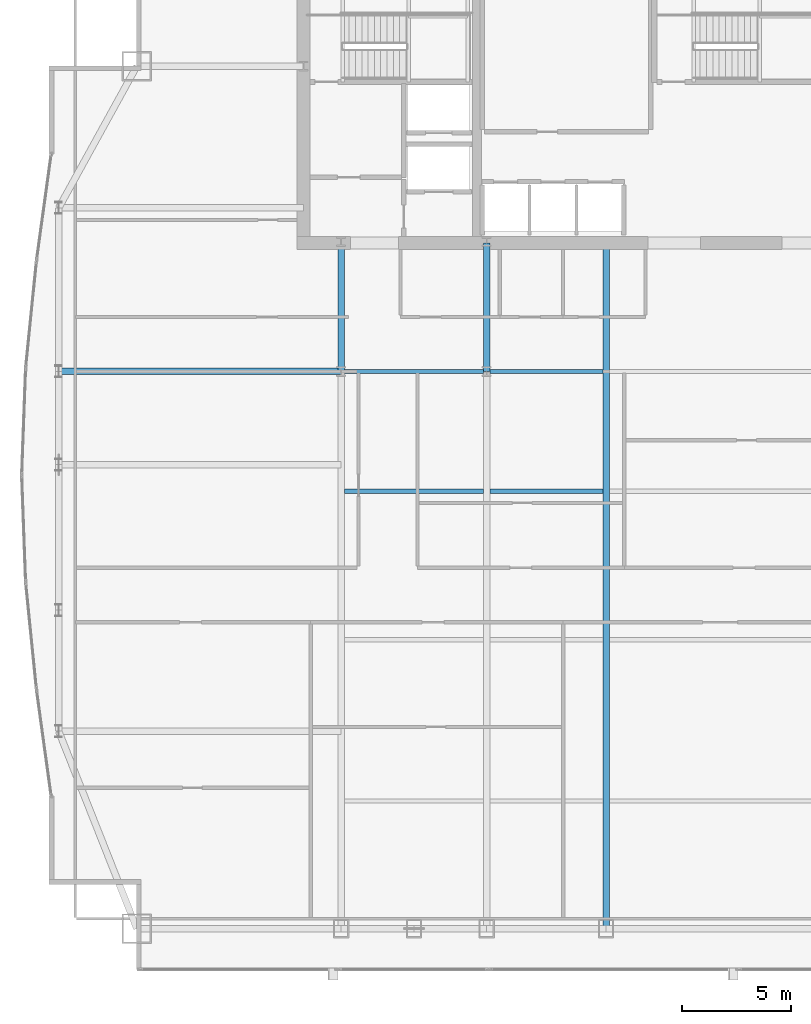
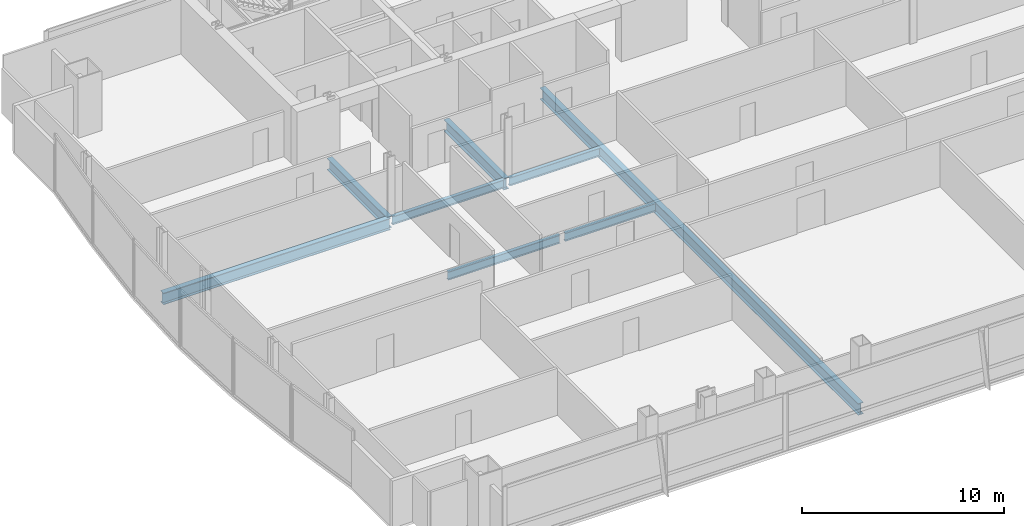
# One storey, part 12 of 29: 8 beams.
"""IFC4 building model written with IfcOpenShell, lengths in metres."""

from ifc_helpers import new_model, si_unit, direction, frame, origin, origin_2d, place, context, subcontext, project, spatial, i_section, extrude, material, material_profile, profile_set, type_object, element, save


model = new_model("IFC4")

# Units and contexts
model_context = context("Model", 3, precision=1e-05, world=origin(), true_north=direction((0.0, 1.0)))
body_context = subcontext(model_context, "Body", "Model", "MODEL_VIEW")
ifc_project = project(units=[si_unit("LENGTHUNIT", "METRE"), si_unit("AREAUNIT", "SQUARE_METRE"), si_unit("VOLUMEUNIT", "CUBIC_METRE"), si_unit("PLANEANGLEUNIT", "RADIAN"), si_unit("MASSUNIT", "GRAM", prefix="KILO")], contexts=[model_context])

# Site, building, storey
site_placement = place(None, origin())
site = spatial("IfcSite", under=ifc_project, at=site_placement, CompositionType="ELEMENT")
building_placement = place(site_placement, origin())
building = spatial("IfcBuilding", under=site, at=building_placement, Name="Khoronbel Lancet Exchange", CompositionType="ELEMENT")
storey_placement = place(building_placement, frame((0.0, 0.0, 177.0)))
storey = spatial("IfcBuildingStorey", under=building, at=storey_placement, Name="L44", CompositionType="ELEMENT", Elevation=177.0)

# Beams
ifc_material = material(Name="Steel S355", Category="steel")
ifc_material_profile_1 = material_profile(ifc_material, i_section(OverallWidth=0.300048828125, OverallDepth=0.699951171875, WebThickness=0.01708984375, FlangeThickness=0.031982421875, at=origin_2d()), Name="HEB 700")
ifc_profile_set_1 = profile_set([ifc_material_profile_1], Name="Steel S355")
beam_type_1 = type_object("IfcBeamType", Name="BM-BG3", PredefinedType="BEAM", material=ifc_profile_set_1)
for number, where, z_axis, x_axis, name in (
    (1, (18.22509765625, 35.699951171875, -0.510009765625), (0.0, 1.0, 0.0), (-1.0, 0.0, 0.0), "Level L44 spine tie girder GN1"),
    (2, (24.89990234375, 35.699951171875, -0.510009765625), (0.0, 1.0, 0.0), (-1.0, 0.0, 0.0), "Level L44 spine tie girder GN2"),
):
    element("IfcBeam", number, at=place(storey_placement, frame(where, z_axis=z_axis, x_axis=x_axis)), inside=storey, type_object=beam_type_1, Name=name, PredefinedType="BEAM", context=body_context, shape_type="SweptSolid", body=[
        extrude(i_section(OverallWidth=0.300048828125, OverallDepth=0.699951171875, WebThickness=0.01708984375, FlangeThickness=0.031982421875, at=origin_2d()), origin(), (0.0, 0.0, 1.0), 5.900146484375),
    ])
beam_1_placement = place(storey_placement, frame((30.375, 10.14990234375, -0.510009765625), z_axis=(0.0, 1.0, 0.0), x_axis=(-1.0, 0.0, 0.0)))
element("IfcBeam", 3, at=beam_1_placement, inside=storey, type_object=beam_type_1, Name="Level L44 primary floor girder G3", PredefinedType="BEAM", context=body_context, shape_type="SweptSolid", body=[
    extrude(i_section(OverallWidth=0.300048828125, OverallDepth=0.699951171875, WebThickness=0.01708984375, FlangeThickness=0.031982421875, at=origin_2d()), origin(), (0.0, 0.0, 1.0), 31.4501953125),
])
beam_2_placement = place(storey_placement, frame((5.27001953125, 35.699951171875, -0.510009765625), z_axis=(1.0, 0.0, 0.0), x_axis=(0.0, 1.0, 0.0)))
element("IfcBeam", 4, at=beam_2_placement, inside=storey, type_object=beam_type_1, Name="Level L44 west lens tie girder LG4W", PredefinedType="BEAM", context=body_context, shape_type="SweptSolid", body=[
    extrude(i_section(OverallWidth=0.300048828125, OverallDepth=0.699951171875, WebThickness=0.01708984375, FlangeThickness=0.031982421875, at=origin_2d()), origin(), (0.0, 0.0, 1.0), 12.955078125),
])
ifc_material_profile_2 = material_profile(ifc_material, i_section(OverallWidth=0.199951171875, OverallDepth=0.5, WebThickness=0.01025390625, FlangeThickness=0.01611328125, at=origin_2d()), Name="IPE 500")
ifc_profile_set_2 = profile_set([ifc_material_profile_2], Name="Steel S355")
beam_type_2 = type_object("IfcBeamType", Name="BM-BJ3", PredefinedType="JOIST", material=ifc_profile_set_2)
beam_3_placement = place(storey_placement, frame((18.375, 30.199951171875, -0.409912109375), z_axis=(1.0, 0.0, 0.0), x_axis=(0.0, 1.0, 0.0)))
element("IfcBeam", 5, at=beam_3_placement, inside=storey, type_object=beam_type_2, Name="Level L44 secondary composite joist J11", PredefinedType="JOIST", context=body_context, shape_type="SweptSolid", body=[
    extrude(i_section(OverallWidth=0.199951171875, OverallDepth=0.5, WebThickness=0.01025390625, FlangeThickness=0.01611328125, at=origin_2d()), origin(), (0.0, 0.0, 1.0), 6.375),
])
beam_4_placement = place(storey_placement, frame((25.050048828125, 30.199951171875, -0.409912109375), z_axis=(1.0, 0.0, 0.0), x_axis=(0.0, 1.0, 0.0)))
element("IfcBeam", 6, at=beam_4_placement, inside=storey, type_object=beam_type_2, Name="Level L44 secondary composite joist J12", PredefinedType="JOIST", context=body_context, shape_type="SweptSolid", body=[
    extrude(i_section(OverallWidth=0.199951171875, OverallDepth=0.5, WebThickness=0.01025390625, FlangeThickness=0.01611328125, at=origin_2d()), origin(), (0.0, 0.0, 1.0), 5.175048828125),
])
beam_5_placement = place(storey_placement, frame((18.375, 35.699951171875, -0.409912109375), z_axis=(1.0, 0.0, 0.0), x_axis=(0.0, 1.0, 0.0)))
element("IfcBeam", 7, at=beam_5_placement, inside=storey, type_object=beam_type_2, Name="Level L44 secondary composite joist J16", PredefinedType="JOIST", context=body_context, shape_type="SweptSolid", body=[
    extrude(i_section(OverallWidth=0.199951171875, OverallDepth=0.5, WebThickness=0.01025390625, FlangeThickness=0.01611328125, at=origin_2d()), origin(), (0.0, 0.0, 1.0), 6.375),
])
beam_6_placement = place(storey_placement, frame((25.050048828125, 35.699951171875, -0.409912109375), z_axis=(1.0, 0.0, 0.0), x_axis=(0.0, 1.0, 0.0)))
element("IfcBeam", 8, at=beam_6_placement, inside=storey, type_object=beam_type_2, Name="Level L44 secondary composite joist J17", PredefinedType="JOIST", context=body_context, shape_type="SweptSolid", body=[
    extrude(i_section(OverallWidth=0.199951171875, OverallDepth=0.5, WebThickness=0.01025390625, FlangeThickness=0.01611328125, at=origin_2d()), origin(), (0.0, 0.0, 1.0), 5.175048828125),
])

save(model, "model.ifc")
